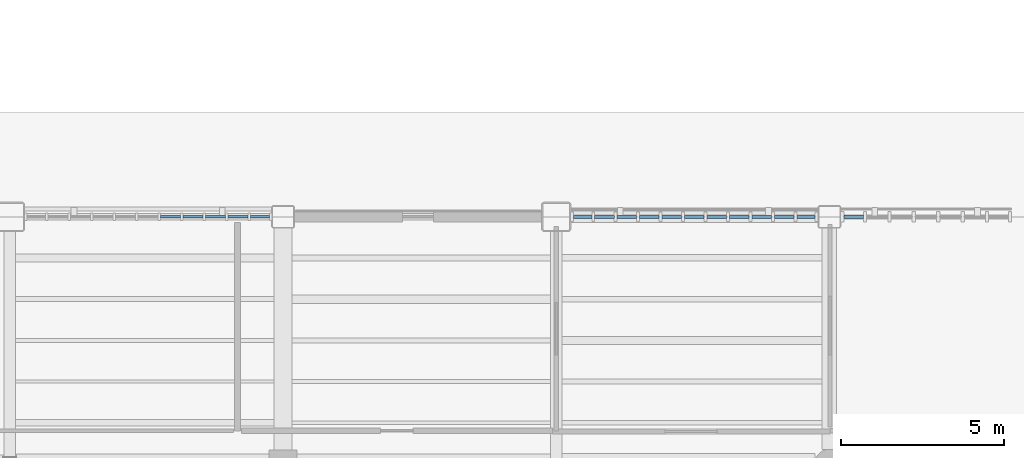
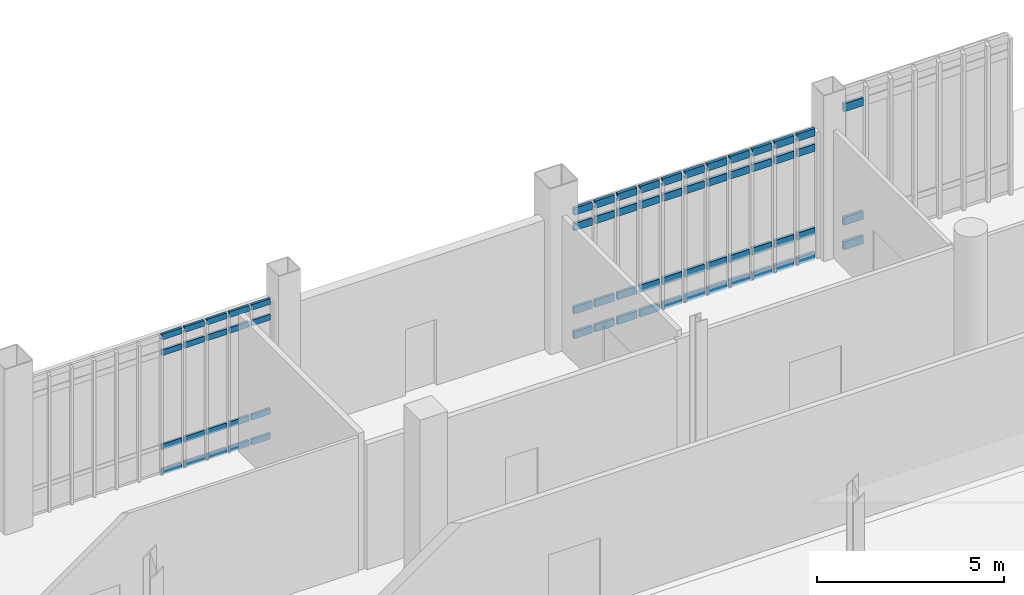
# One storey, part 44 of 111: 67 members, 3 elements without a shape of their own.
"""IFC4 building model written with IfcOpenShell, lengths in metres."""

from ifc_helpers import new_model, si_unit, direction, frame, origin, origin_2d, place, context, subcontext, project, spatial, rectangle, extrude, material, material_profile, profile_set, type_object, element, aggregate, save


model = new_model("IFC4")

# Units and contexts
model_context = context("Model", 3, precision=1e-05, world=origin(), true_north=direction((0.0, 1.0)))
body_context = subcontext(model_context, "Body", "Model", "MODEL_VIEW")
ifc_project = project(units=[si_unit("LENGTHUNIT", "METRE"), si_unit("AREAUNIT", "SQUARE_METRE"), si_unit("VOLUMEUNIT", "CUBIC_METRE"), si_unit("PLANEANGLEUNIT", "RADIAN"), si_unit("MASSUNIT", "GRAM", prefix="KILO")], contexts=[model_context])

# Site, building, storey
site_placement = place(None, origin())
site = spatial("IfcSite", under=ifc_project, at=site_placement, CompositionType="ELEMENT")
building_placement = place(site_placement, origin())
building = spatial("IfcBuilding", under=site, at=building_placement, Name="Larkvane Passage Sports Hall", CompositionType="ELEMENT")
storey_placement = place(building_placement, origin())
storey = spatial("IfcBuildingStorey", under=building, at=storey_placement, Name="L00", CompositionType="ELEMENT", Elevation=0.0)

# Curtain wall, members
ifc_material_1 = material(Name="Thermally broken aluminium and low-E glazing", Category="aluminium")
curtain_wall_type_1 = type_object("IfcCurtainWallType", Name="CW-CLINIC", PredefinedType="USERDEFINED", material=ifc_material_1)
curtain_wall_1_placement = place(storey_placement, origin())
curtain_wall_1 = element("IfcCurtainWall", 1, at=curtain_wall_1_placement, inside=storey, type_object=curtain_wall_type_1, Name="Curtain wall CW5-L00-011", ObjectType="UNITISED CURTAIN WALL", PredefinedType="USERDEFINED")
ifc_material_2 = material(Name="Anodised aluminium 6063-T6", Category="aluminium")
ifc_material_profile_1 = material_profile(ifc_material_2, rectangle(XDim=0.10009765625, YDim=0.260009765625, at=origin_2d()), Name="ALU-TRN-100x260")
ifc_profile_set_1 = profile_set([ifc_material_profile_1], Name="Anodised aluminium 6063-T6")
member_type_1 = type_object("IfcMemberType", Name="CW-TRN-100x260", PredefinedType="USERDEFINED", material=ifc_profile_set_1)
member_1_placement = place(storey_placement, frame((77.24609375, 91.60009765625, 0.050048828125), z_axis=(1.0, 0.0, 0.0), x_axis=(0.0, 1.0, 0.0)))
member_1 = element("IfcMember", 2, at=member_1_placement, type_object=member_type_1, Name="CW-05 transom 1.1", ObjectType="TRANSOM", PredefinedType="USERDEFINED", context=body_context, shape_type="SweptSolid", body=[
    extrude(rectangle(XDim=0.10009765625, YDim=0.260009765625, at=origin_2d()), origin(), (0.0, 0.0, 1.0), 0.6005859375),
])
member_2_placement = place(storey_placement, frame((77.24609375, 91.60009765625, 0.85009765625), z_axis=(1.0, 0.0, 0.0), x_axis=(0.0, 1.0, 0.0)))
member_2 = element("IfcMember", 3, at=member_2_placement, type_object=member_type_1, Name="CW-05 transom 1.2", ObjectType="TRANSOM", PredefinedType="USERDEFINED", context=body_context, shape_type="SweptSolid", body=[
    extrude(rectangle(XDim=0.10009765625, YDim=0.260009765625, at=origin_2d()), origin(), (0.0, 0.0, 1.0), 0.6005859375),
])
member_3_placement = place(storey_placement, frame((77.24609375, 91.60009765625, 4.550048828125), z_axis=(1.0, 0.0, 0.0), x_axis=(0.0, 1.0, 0.0)))
member_3 = element("IfcMember", 4, at=member_3_placement, type_object=member_type_1, Name="CW-05 transom 1.3", ObjectType="TRANSOM", PredefinedType="USERDEFINED", context=body_context, shape_type="SweptSolid", body=[
    extrude(rectangle(XDim=0.10009765625, YDim=0.260009765625, at=origin_2d()), origin(), (0.0, 0.0, 1.0), 0.6005859375),
])
aggregate(curtain_wall_1, [member_1, member_2, member_3])

curtain_wall_type_2 = type_object("IfcCurtainWallType", Name="CW-UNIT-VEIL", PredefinedType="USERDEFINED", material=ifc_material_1)
curtain_wall_2_placement = place(storey_placement, origin())
curtain_wall_2 = element("IfcCurtainWall", 5, at=curtain_wall_2_placement, inside=storey, type_object=curtain_wall_type_2, Name="Curtain wall CW5-L00-009", ObjectType="UNITISED CURTAIN WALL", PredefinedType="USERDEFINED")
ifc_material_profile_2 = material_profile(ifc_material_2, rectangle(XDim=0.074951171875, YDim=0.18505859375, at=origin_2d()), Name="ALU-TRN-75x185")
ifc_profile_set_2 = profile_set([ifc_material_profile_2], Name="Anodised aluminium 6063-T6")
member_type_2 = type_object("IfcMemberType", Name="CW-TRN-75x185", PredefinedType="USERDEFINED", material=ifc_profile_set_2)
member_4_placement = place(storey_placement, frame((56.2333984375, 91.60009765625, 0.03759765625), z_axis=(1.0, 0.0, 0.0), x_axis=(0.0, 1.0, 0.0)))
member_4 = element("IfcMember", 6, at=member_4_placement, type_object=member_type_2, Name="CW-02 transom 7.1", ObjectType="TRANSOM", PredefinedType="USERDEFINED", context=body_context, shape_type="SweptSolid", body=[
    extrude(rectangle(XDim=0.074951171875, YDim=0.18505859375, at=origin_2d()), origin(), (0.0, 0.0, 1.0), 0.616455078125),
])
member_5_placement = place(storey_placement, frame((56.2333984375, 91.60009765625, 0.85009765625), z_axis=(1.0, 0.0, 0.0), x_axis=(0.0, 1.0, 0.0)))
member_5 = element("IfcMember", 7, at=member_5_placement, type_object=member_type_2, Name="CW-02 transom 7.2", ObjectType="TRANSOM", PredefinedType="USERDEFINED", context=body_context, shape_type="SweptSolid", body=[
    extrude(rectangle(XDim=0.074951171875, YDim=0.18505859375, at=origin_2d()), origin(), (0.0, 0.0, 1.0), 0.616455078125),
])
member_6_placement = place(storey_placement, frame((56.2333984375, 91.60009765625, 3.91796875), z_axis=(1.0, 0.0, 0.0), x_axis=(0.0, 1.0, 0.0)))
member_6 = element("IfcMember", 8, at=member_6_placement, type_object=member_type_2, Name="CW-02 transom 7.3", ObjectType="TRANSOM", PredefinedType="USERDEFINED", context=body_context, shape_type="SweptSolid", body=[
    extrude(rectangle(XDim=0.074951171875, YDim=0.18505859375, at=origin_2d()), origin(), (0.0, 0.0, 1.0), 0.616455078125),
])
member_7_placement = place(storey_placement, frame((56.2333984375, 91.60009765625, 4.430419921875), z_axis=(1.0, 0.0, 0.0), x_axis=(0.0, 1.0, 0.0)))
member_7 = element("IfcMember", 9, at=member_7_placement, type_object=member_type_2, Name="CW-02 transom 7.4", ObjectType="TRANSOM", PredefinedType="USERDEFINED", context=body_context, shape_type="SweptSolid", body=[
    extrude(rectangle(XDim=0.074951171875, YDim=0.18505859375, at=origin_2d()), origin(), (0.0, 0.0, 1.0), 0.616455078125),
])
member_8_placement = place(storey_placement, frame((56.925048828125, 91.60009765625, 0.03759765625), z_axis=(1.0, 0.0, 0.0), x_axis=(0.0, 1.0, 0.0)))
member_8 = element("IfcMember", 10, at=member_8_placement, type_object=member_type_2, Name="CW-02 transom 8.1", ObjectType="TRANSOM", PredefinedType="USERDEFINED", context=body_context, shape_type="SweptSolid", body=[
    extrude(rectangle(XDim=0.074951171875, YDim=0.18505859375, at=origin_2d()), origin(), (0.0, 0.0, 1.0), 0.616455078125),
])
member_9_placement = place(storey_placement, frame((56.925048828125, 91.60009765625, 0.85009765625), z_axis=(1.0, 0.0, 0.0), x_axis=(0.0, 1.0, 0.0)))
member_9 = element("IfcMember", 11, at=member_9_placement, type_object=member_type_2, Name="CW-02 transom 8.2", ObjectType="TRANSOM", PredefinedType="USERDEFINED", context=body_context, shape_type="SweptSolid", body=[
    extrude(rectangle(XDim=0.074951171875, YDim=0.18505859375, at=origin_2d()), origin(), (0.0, 0.0, 1.0), 0.616455078125),
])
member_10_placement = place(storey_placement, frame((56.925048828125, 91.60009765625, 3.91796875), z_axis=(1.0, 0.0, 0.0), x_axis=(0.0, 1.0, 0.0)))
member_10 = element("IfcMember", 12, at=member_10_placement, type_object=member_type_2, Name="CW-02 transom 8.3", ObjectType="TRANSOM", PredefinedType="USERDEFINED", context=body_context, shape_type="SweptSolid", body=[
    extrude(rectangle(XDim=0.074951171875, YDim=0.18505859375, at=origin_2d()), origin(), (0.0, 0.0, 1.0), 0.616455078125),
])
member_11_placement = place(storey_placement, frame((56.925048828125, 91.60009765625, 4.430419921875), z_axis=(1.0, 0.0, 0.0), x_axis=(0.0, 1.0, 0.0)))
member_11 = element("IfcMember", 13, at=member_11_placement, type_object=member_type_2, Name="CW-02 transom 8.4", ObjectType="TRANSOM", PredefinedType="USERDEFINED", context=body_context, shape_type="SweptSolid", body=[
    extrude(rectangle(XDim=0.074951171875, YDim=0.18505859375, at=origin_2d()), origin(), (0.0, 0.0, 1.0), 0.616455078125),
])
member_12_placement = place(storey_placement, frame((57.61669921875, 91.60009765625, 0.03759765625), z_axis=(1.0, 0.0, 0.0), x_axis=(0.0, 1.0, 0.0)))
member_12 = element("IfcMember", 14, at=member_12_placement, type_object=member_type_2, Name="CW-02 transom 9.1", ObjectType="TRANSOM", PredefinedType="USERDEFINED", context=body_context, shape_type="SweptSolid", body=[
    extrude(rectangle(XDim=0.074951171875, YDim=0.18505859375, at=origin_2d()), origin(), (0.0, 0.0, 1.0), 0.616455078125),
])
member_13_placement = place(storey_placement, frame((57.61669921875, 91.60009765625, 0.85009765625), z_axis=(1.0, 0.0, 0.0), x_axis=(0.0, 1.0, 0.0)))
member_13 = element("IfcMember", 15, at=member_13_placement, type_object=member_type_2, Name="CW-02 transom 9.2", ObjectType="TRANSOM", PredefinedType="USERDEFINED", context=body_context, shape_type="SweptSolid", body=[
    extrude(rectangle(XDim=0.074951171875, YDim=0.18505859375, at=origin_2d()), origin(), (0.0, 0.0, 1.0), 0.616455078125),
])
member_14_placement = place(storey_placement, frame((57.61669921875, 91.60009765625, 3.91796875), z_axis=(1.0, 0.0, 0.0), x_axis=(0.0, 1.0, 0.0)))
member_14 = element("IfcMember", 16, at=member_14_placement, type_object=member_type_2, Name="CW-02 transom 9.3", ObjectType="TRANSOM", PredefinedType="USERDEFINED", context=body_context, shape_type="SweptSolid", body=[
    extrude(rectangle(XDim=0.074951171875, YDim=0.18505859375, at=origin_2d()), origin(), (0.0, 0.0, 1.0), 0.616455078125),
])
member_15_placement = place(storey_placement, frame((57.61669921875, 91.60009765625, 4.430419921875), z_axis=(1.0, 0.0, 0.0), x_axis=(0.0, 1.0, 0.0)))
member_15 = element("IfcMember", 17, at=member_15_placement, type_object=member_type_2, Name="CW-02 transom 9.4", ObjectType="TRANSOM", PredefinedType="USERDEFINED", context=body_context, shape_type="SweptSolid", body=[
    extrude(rectangle(XDim=0.074951171875, YDim=0.18505859375, at=origin_2d()), origin(), (0.0, 0.0, 1.0), 0.616455078125),
])
member_16_placement = place(storey_placement, frame((58.30810546875, 91.60009765625, 0.03759765625), z_axis=(1.0, 0.0, 0.0), x_axis=(0.0, 1.0, 0.0)))
member_16 = element("IfcMember", 18, at=member_16_placement, type_object=member_type_2, Name="CW-02 transom 10.1", ObjectType="TRANSOM", PredefinedType="USERDEFINED", context=body_context, shape_type="SweptSolid", body=[
    extrude(rectangle(XDim=0.074951171875, YDim=0.18505859375, at=origin_2d()), origin(), (0.0, 0.0, 1.0), 0.61669921875),
])
member_17_placement = place(storey_placement, frame((58.30810546875, 91.60009765625, 0.85009765625), z_axis=(1.0, 0.0, 0.0), x_axis=(0.0, 1.0, 0.0)))
member_17 = element("IfcMember", 19, at=member_17_placement, type_object=member_type_2, Name="CW-02 transom 10.2", ObjectType="TRANSOM", PredefinedType="USERDEFINED", context=body_context, shape_type="SweptSolid", body=[
    extrude(rectangle(XDim=0.074951171875, YDim=0.18505859375, at=origin_2d()), origin(), (0.0, 0.0, 1.0), 0.61669921875),
])
member_18_placement = place(storey_placement, frame((58.30810546875, 91.60009765625, 3.91796875), z_axis=(1.0, 0.0, 0.0), x_axis=(0.0, 1.0, 0.0)))
member_18 = element("IfcMember", 20, at=member_18_placement, type_object=member_type_2, Name="CW-02 transom 10.3", ObjectType="TRANSOM", PredefinedType="USERDEFINED", context=body_context, shape_type="SweptSolid", body=[
    extrude(rectangle(XDim=0.074951171875, YDim=0.18505859375, at=origin_2d()), origin(), (0.0, 0.0, 1.0), 0.61669921875),
])
member_19_placement = place(storey_placement, frame((58.30810546875, 91.60009765625, 4.430419921875), z_axis=(1.0, 0.0, 0.0), x_axis=(0.0, 1.0, 0.0)))
member_19 = element("IfcMember", 21, at=member_19_placement, type_object=member_type_2, Name="CW-02 transom 10.4", ObjectType="TRANSOM", PredefinedType="USERDEFINED", context=body_context, shape_type="SweptSolid", body=[
    extrude(rectangle(XDim=0.074951171875, YDim=0.18505859375, at=origin_2d()), origin(), (0.0, 0.0, 1.0), 0.61669921875),
])
member_20_placement = place(storey_placement, frame((58.999755859375, 91.60009765625, 0.03759765625), z_axis=(1.0, 0.0, 0.0), x_axis=(0.0, 1.0, 0.0)))
member_20 = element("IfcMember", 22, at=member_20_placement, type_object=member_type_2, Name="CW-02 transom 11.1", ObjectType="TRANSOM", PredefinedType="USERDEFINED", context=body_context, shape_type="SweptSolid", body=[
    extrude(rectangle(XDim=0.074951171875, YDim=0.18505859375, at=origin_2d()), origin(), (0.0, 0.0, 1.0), 0.579345703125),
])
member_21_placement = place(storey_placement, frame((58.999755859375, 91.60009765625, 0.85009765625), z_axis=(1.0, 0.0, 0.0), x_axis=(0.0, 1.0, 0.0)))
member_21 = element("IfcMember", 23, at=member_21_placement, type_object=member_type_2, Name="CW-02 transom 11.2", ObjectType="TRANSOM", PredefinedType="USERDEFINED", context=body_context, shape_type="SweptSolid", body=[
    extrude(rectangle(XDim=0.074951171875, YDim=0.18505859375, at=origin_2d()), origin(), (0.0, 0.0, 1.0), 0.579345703125),
])
member_22_placement = place(storey_placement, frame((58.999755859375, 91.60009765625, 3.91796875), z_axis=(1.0, 0.0, 0.0), x_axis=(0.0, 1.0, 0.0)))
member_22 = element("IfcMember", 24, at=member_22_placement, type_object=member_type_2, Name="CW-02 transom 11.3", ObjectType="TRANSOM", PredefinedType="USERDEFINED", context=body_context, shape_type="SweptSolid", body=[
    extrude(rectangle(XDim=0.074951171875, YDim=0.18505859375, at=origin_2d()), origin(), (0.0, 0.0, 1.0), 0.579345703125),
])
member_23_placement = place(storey_placement, frame((58.999755859375, 91.60009765625, 4.430419921875), z_axis=(1.0, 0.0, 0.0), x_axis=(0.0, 1.0, 0.0)))
member_23 = element("IfcMember", 25, at=member_23_placement, type_object=member_type_2, Name="CW-02 transom 11.4", ObjectType="TRANSOM", PredefinedType="USERDEFINED", context=body_context, shape_type="SweptSolid", body=[
    extrude(rectangle(XDim=0.074951171875, YDim=0.18505859375, at=origin_2d()), origin(), (0.0, 0.0, 1.0), 0.579345703125),
])
aggregate(curtain_wall_2, [member_4, member_5, member_6, member_7, member_8, member_9, member_10, member_11, member_12, member_13, member_14, member_15, member_16, member_17, member_18, member_19, member_20, member_21, member_22, member_23])

curtain_wall_type_3 = type_object("IfcCurtainWallType", Name="CW-STICK-FOYER", PredefinedType="USERDEFINED", material=ifc_material_1)
curtain_wall_3_placement = place(storey_placement, origin())
curtain_wall_3 = element("IfcCurtainWall", 26, at=curtain_wall_3_placement, inside=storey, type_object=curtain_wall_type_3, Name="Curtain wall CW5-L00-010", ObjectType="STICK CURTAIN WALL", PredefinedType="USERDEFINED")
ifc_material_profile_3 = material_profile(ifc_material_2, rectangle(XDim=0.090087890625, YDim=0.235107421875, at=origin_2d()), Name="ALU-TRN-90x235")
ifc_profile_set_3 = profile_set([ifc_material_profile_3], Name="Anodised aluminium 6063-T6")
member_type_3 = type_object("IfcMemberType", Name="CW-TRN-90x235", PredefinedType="USERDEFINED", material=ifc_profile_set_3)
member_24_placement = place(storey_placement, frame((68.93603515625, 91.60009765625, 0.044921875), z_axis=(1.0, 0.0, 0.0), x_axis=(0.0, 1.0, 0.0)))
member_24 = element("IfcMember", 27, at=member_24_placement, type_object=member_type_3, Name="CW-03 transom 1.1", ObjectType="TRANSOM", PredefinedType="USERDEFINED", context=body_context, shape_type="SweptSolid", body=[
    extrude(rectangle(XDim=0.090087890625, YDim=0.235107421875, at=origin_2d()), origin(), (0.0, 0.0, 1.0), 0.556640625),
])
member_25_placement = place(storey_placement, frame((68.93603515625, 91.60009765625, 0.85009765625), z_axis=(1.0, 0.0, 0.0), x_axis=(0.0, 1.0, 0.0)))
member_25 = element("IfcMember", 28, at=member_25_placement, type_object=member_type_3, Name="CW-03 transom 1.2", ObjectType="TRANSOM", PredefinedType="USERDEFINED", context=body_context, shape_type="SweptSolid", body=[
    extrude(rectangle(XDim=0.090087890625, YDim=0.235107421875, at=origin_2d()), origin(), (0.0, 0.0, 1.0), 0.556640625),
])
member_26_placement = place(storey_placement, frame((68.93603515625, 91.60009765625, 3.568115234375), z_axis=(1.0, 0.0, 0.0), x_axis=(0.0, 1.0, 0.0)))
member_26 = element("IfcMember", 29, at=member_26_placement, type_object=member_type_3, Name="CW-03 transom 1.3", ObjectType="TRANSOM", PredefinedType="USERDEFINED", context=body_context, shape_type="SweptSolid", body=[
    extrude(rectangle(XDim=0.090087890625, YDim=0.235107421875, at=origin_2d()), origin(), (0.0, 0.0, 1.0), 0.556640625),
])
member_27_placement = place(storey_placement, frame((68.93603515625, 91.60009765625, 4.072998046875), z_axis=(1.0, 0.0, 0.0), x_axis=(0.0, 1.0, 0.0)))
member_27 = element("IfcMember", 30, at=member_27_placement, type_object=member_type_3, Name="CW-03 transom 1.4", ObjectType="TRANSOM", PredefinedType="USERDEFINED", context=body_context, shape_type="SweptSolid", body=[
    extrude(rectangle(XDim=0.090087890625, YDim=0.235107421875, at=origin_2d()), origin(), (0.0, 0.0, 1.0), 0.556640625),
])
member_28_placement = place(storey_placement, frame((69.58251953125, 91.60009765625, 0.044921875), z_axis=(1.0, 0.0, 0.0), x_axis=(0.0, 1.0, 0.0)))
member_28 = element("IfcMember", 31, at=member_28_placement, type_object=member_type_3, Name="CW-03 transom 2.1", ObjectType="TRANSOM", PredefinedType="USERDEFINED", context=body_context, shape_type="SweptSolid", body=[
    extrude(rectangle(XDim=0.090087890625, YDim=0.235107421875, at=origin_2d()), origin(), (0.0, 0.0, 1.0), 0.601806640625),
])
member_29_placement = place(storey_placement, frame((69.58251953125, 91.60009765625, 0.85009765625), z_axis=(1.0, 0.0, 0.0), x_axis=(0.0, 1.0, 0.0)))
member_29 = element("IfcMember", 32, at=member_29_placement, type_object=member_type_3, Name="CW-03 transom 2.2", ObjectType="TRANSOM", PredefinedType="USERDEFINED", context=body_context, shape_type="SweptSolid", body=[
    extrude(rectangle(XDim=0.090087890625, YDim=0.235107421875, at=origin_2d()), origin(), (0.0, 0.0, 1.0), 0.601806640625),
])
member_30_placement = place(storey_placement, frame((69.58251953125, 91.60009765625, 3.568115234375), z_axis=(1.0, 0.0, 0.0), x_axis=(0.0, 1.0, 0.0)))
member_30 = element("IfcMember", 33, at=member_30_placement, type_object=member_type_3, Name="CW-03 transom 2.3", ObjectType="TRANSOM", PredefinedType="USERDEFINED", context=body_context, shape_type="SweptSolid", body=[
    extrude(rectangle(XDim=0.090087890625, YDim=0.235107421875, at=origin_2d()), origin(), (0.0, 0.0, 1.0), 0.601806640625),
])
member_31_placement = place(storey_placement, frame((69.58251953125, 91.60009765625, 4.072998046875), z_axis=(1.0, 0.0, 0.0), x_axis=(0.0, 1.0, 0.0)))
member_31 = element("IfcMember", 34, at=member_31_placement, type_object=member_type_3, Name="CW-03 transom 2.4", ObjectType="TRANSOM", PredefinedType="USERDEFINED", context=body_context, shape_type="SweptSolid", body=[
    extrude(rectangle(XDim=0.090087890625, YDim=0.235107421875, at=origin_2d()), origin(), (0.0, 0.0, 1.0), 0.601806640625),
])
member_32_placement = place(storey_placement, frame((70.274169921875, 91.60009765625, 0.044921875), z_axis=(1.0, 0.0, 0.0), x_axis=(0.0, 1.0, 0.0)))
member_32 = element("IfcMember", 35, at=member_32_placement, type_object=member_type_3, Name="CW-03 transom 3.1", ObjectType="TRANSOM", PredefinedType="USERDEFINED", context=body_context, shape_type="SweptSolid", body=[
    extrude(rectangle(XDim=0.090087890625, YDim=0.235107421875, at=origin_2d()), origin(), (0.0, 0.0, 1.0), 0.601806640625),
])
member_33_placement = place(storey_placement, frame((70.274169921875, 91.60009765625, 0.85009765625), z_axis=(1.0, 0.0, 0.0), x_axis=(0.0, 1.0, 0.0)))
member_33 = element("IfcMember", 36, at=member_33_placement, type_object=member_type_3, Name="CW-03 transom 3.2", ObjectType="TRANSOM", PredefinedType="USERDEFINED", context=body_context, shape_type="SweptSolid", body=[
    extrude(rectangle(XDim=0.090087890625, YDim=0.235107421875, at=origin_2d()), origin(), (0.0, 0.0, 1.0), 0.601806640625),
])
member_34_placement = place(storey_placement, frame((70.274169921875, 91.60009765625, 3.568115234375), z_axis=(1.0, 0.0, 0.0), x_axis=(0.0, 1.0, 0.0)))
member_34 = element("IfcMember", 37, at=member_34_placement, type_object=member_type_3, Name="CW-03 transom 3.3", ObjectType="TRANSOM", PredefinedType="USERDEFINED", context=body_context, shape_type="SweptSolid", body=[
    extrude(rectangle(XDim=0.090087890625, YDim=0.235107421875, at=origin_2d()), origin(), (0.0, 0.0, 1.0), 0.601806640625),
])
member_35_placement = place(storey_placement, frame((70.274169921875, 91.60009765625, 4.072998046875), z_axis=(1.0, 0.0, 0.0), x_axis=(0.0, 1.0, 0.0)))
member_35 = element("IfcMember", 38, at=member_35_placement, type_object=member_type_3, Name="CW-03 transom 3.4", ObjectType="TRANSOM", PredefinedType="USERDEFINED", context=body_context, shape_type="SweptSolid", body=[
    extrude(rectangle(XDim=0.090087890625, YDim=0.235107421875, at=origin_2d()), origin(), (0.0, 0.0, 1.0), 0.601806640625),
])
member_36_placement = place(storey_placement, frame((70.9658203125, 91.60009765625, 0.044921875), z_axis=(1.0, 0.0, 0.0), x_axis=(0.0, 1.0, 0.0)))
member_36 = element("IfcMember", 39, at=member_36_placement, type_object=member_type_3, Name="CW-03 transom 4.1", ObjectType="TRANSOM", PredefinedType="USERDEFINED", context=body_context, shape_type="SweptSolid", body=[
    extrude(rectangle(XDim=0.090087890625, YDim=0.235107421875, at=origin_2d()), origin(), (0.0, 0.0, 1.0), 0.601806640625),
])
member_37_placement = place(storey_placement, frame((70.9658203125, 91.60009765625, 0.85009765625), z_axis=(1.0, 0.0, 0.0), x_axis=(0.0, 1.0, 0.0)))
member_37 = element("IfcMember", 40, at=member_37_placement, type_object=member_type_3, Name="CW-03 transom 4.2", ObjectType="TRANSOM", PredefinedType="USERDEFINED", context=body_context, shape_type="SweptSolid", body=[
    extrude(rectangle(XDim=0.090087890625, YDim=0.235107421875, at=origin_2d()), origin(), (0.0, 0.0, 1.0), 0.601806640625),
])
member_38_placement = place(storey_placement, frame((70.9658203125, 91.60009765625, 3.568115234375), z_axis=(1.0, 0.0, 0.0), x_axis=(0.0, 1.0, 0.0)))
member_38 = element("IfcMember", 41, at=member_38_placement, type_object=member_type_3, Name="CW-03 transom 4.3", ObjectType="TRANSOM", PredefinedType="USERDEFINED", context=body_context, shape_type="SweptSolid", body=[
    extrude(rectangle(XDim=0.090087890625, YDim=0.235107421875, at=origin_2d()), origin(), (0.0, 0.0, 1.0), 0.601806640625),
])
member_39_placement = place(storey_placement, frame((70.9658203125, 91.60009765625, 4.072998046875), z_axis=(1.0, 0.0, 0.0), x_axis=(0.0, 1.0, 0.0)))
member_39 = element("IfcMember", 42, at=member_39_placement, type_object=member_type_3, Name="CW-03 transom 4.4", ObjectType="TRANSOM", PredefinedType="USERDEFINED", context=body_context, shape_type="SweptSolid", body=[
    extrude(rectangle(XDim=0.090087890625, YDim=0.235107421875, at=origin_2d()), origin(), (0.0, 0.0, 1.0), 0.601806640625),
])
member_40_placement = place(storey_placement, frame((71.657470703125, 91.60009765625, 0.044921875), z_axis=(1.0, 0.0, 0.0), x_axis=(0.0, 1.0, 0.0)))
member_40 = element("IfcMember", 43, at=member_40_placement, type_object=member_type_3, Name="CW-03 transom 5.1", ObjectType="TRANSOM", PredefinedType="USERDEFINED", context=body_context, shape_type="SweptSolid", body=[
    extrude(rectangle(XDim=0.090087890625, YDim=0.235107421875, at=origin_2d()), origin(), (0.0, 0.0, 1.0), 0.601806640625),
])
member_41_placement = place(storey_placement, frame((71.657470703125, 91.60009765625, 0.85009765625), z_axis=(1.0, 0.0, 0.0), x_axis=(0.0, 1.0, 0.0)))
member_41 = element("IfcMember", 44, at=member_41_placement, type_object=member_type_3, Name="CW-03 transom 5.2", ObjectType="TRANSOM", PredefinedType="USERDEFINED", context=body_context, shape_type="SweptSolid", body=[
    extrude(rectangle(XDim=0.090087890625, YDim=0.235107421875, at=origin_2d()), origin(), (0.0, 0.0, 1.0), 0.601806640625),
])
member_42_placement = place(storey_placement, frame((71.657470703125, 91.60009765625, 3.568115234375), z_axis=(1.0, 0.0, 0.0), x_axis=(0.0, 1.0, 0.0)))
member_42 = element("IfcMember", 45, at=member_42_placement, type_object=member_type_3, Name="CW-03 transom 5.3", ObjectType="TRANSOM", PredefinedType="USERDEFINED", context=body_context, shape_type="SweptSolid", body=[
    extrude(rectangle(XDim=0.090087890625, YDim=0.235107421875, at=origin_2d()), origin(), (0.0, 0.0, 1.0), 0.601806640625),
])
member_43_placement = place(storey_placement, frame((71.657470703125, 91.60009765625, 4.072998046875), z_axis=(1.0, 0.0, 0.0), x_axis=(0.0, 1.0, 0.0)))
member_43 = element("IfcMember", 46, at=member_43_placement, type_object=member_type_3, Name="CW-03 transom 5.4", ObjectType="TRANSOM", PredefinedType="USERDEFINED", context=body_context, shape_type="SweptSolid", body=[
    extrude(rectangle(XDim=0.090087890625, YDim=0.235107421875, at=origin_2d()), origin(), (0.0, 0.0, 1.0), 0.601806640625),
])
member_44_placement = place(storey_placement, frame((72.34912109375, 91.60009765625, 0.044921875), z_axis=(1.0, 0.0, 0.0), x_axis=(0.0, 1.0, 0.0)))
member_44 = element("IfcMember", 47, at=member_44_placement, type_object=member_type_3, Name="CW-03 transom 6.1", ObjectType="TRANSOM", PredefinedType="USERDEFINED", context=body_context, shape_type="SweptSolid", body=[
    extrude(rectangle(XDim=0.090087890625, YDim=0.235107421875, at=origin_2d()), origin(), (0.0, 0.0, 1.0), 0.601806640625),
])
member_45_placement = place(storey_placement, frame((72.34912109375, 91.60009765625, 0.85009765625), z_axis=(1.0, 0.0, 0.0), x_axis=(0.0, 1.0, 0.0)))
member_45 = element("IfcMember", 48, at=member_45_placement, type_object=member_type_3, Name="CW-03 transom 6.2", ObjectType="TRANSOM", PredefinedType="USERDEFINED", context=body_context, shape_type="SweptSolid", body=[
    extrude(rectangle(XDim=0.090087890625, YDim=0.235107421875, at=origin_2d()), origin(), (0.0, 0.0, 1.0), 0.601806640625),
])
member_46_placement = place(storey_placement, frame((72.34912109375, 91.60009765625, 3.568115234375), z_axis=(1.0, 0.0, 0.0), x_axis=(0.0, 1.0, 0.0)))
member_46 = element("IfcMember", 49, at=member_46_placement, type_object=member_type_3, Name="CW-03 transom 6.3", ObjectType="TRANSOM", PredefinedType="USERDEFINED", context=body_context, shape_type="SweptSolid", body=[
    extrude(rectangle(XDim=0.090087890625, YDim=0.235107421875, at=origin_2d()), origin(), (0.0, 0.0, 1.0), 0.601806640625),
])
member_47_placement = place(storey_placement, frame((72.34912109375, 91.60009765625, 4.072998046875), z_axis=(1.0, 0.0, 0.0), x_axis=(0.0, 1.0, 0.0)))
member_47 = element("IfcMember", 50, at=member_47_placement, type_object=member_type_3, Name="CW-03 transom 6.4", ObjectType="TRANSOM", PredefinedType="USERDEFINED", context=body_context, shape_type="SweptSolid", body=[
    extrude(rectangle(XDim=0.090087890625, YDim=0.235107421875, at=origin_2d()), origin(), (0.0, 0.0, 1.0), 0.601806640625),
])
member_48_placement = place(storey_placement, frame((73.040771484375, 91.60009765625, 0.044921875), z_axis=(1.0, 0.0, 0.0), x_axis=(0.0, 1.0, 0.0)))
member_48 = element("IfcMember", 51, at=member_48_placement, type_object=member_type_3, Name="CW-03 transom 7.1", ObjectType="TRANSOM", PredefinedType="USERDEFINED", context=body_context, shape_type="SweptSolid", body=[
    extrude(rectangle(XDim=0.090087890625, YDim=0.235107421875, at=origin_2d()), origin(), (0.0, 0.0, 1.0), 0.6015625),
])
member_49_placement = place(storey_placement, frame((73.040771484375, 91.60009765625, 0.85009765625), z_axis=(1.0, 0.0, 0.0), x_axis=(0.0, 1.0, 0.0)))
member_49 = element("IfcMember", 52, at=member_49_placement, type_object=member_type_3, Name="CW-03 transom 7.2", ObjectType="TRANSOM", PredefinedType="USERDEFINED", context=body_context, shape_type="SweptSolid", body=[
    extrude(rectangle(XDim=0.090087890625, YDim=0.235107421875, at=origin_2d()), origin(), (0.0, 0.0, 1.0), 0.6015625),
])
member_50_placement = place(storey_placement, frame((73.040771484375, 91.60009765625, 3.568115234375), z_axis=(1.0, 0.0, 0.0), x_axis=(0.0, 1.0, 0.0)))
member_50 = element("IfcMember", 53, at=member_50_placement, type_object=member_type_3, Name="CW-03 transom 7.3", ObjectType="TRANSOM", PredefinedType="USERDEFINED", context=body_context, shape_type="SweptSolid", body=[
    extrude(rectangle(XDim=0.090087890625, YDim=0.235107421875, at=origin_2d()), origin(), (0.0, 0.0, 1.0), 0.6015625),
])
member_51_placement = place(storey_placement, frame((73.040771484375, 91.60009765625, 4.072998046875), z_axis=(1.0, 0.0, 0.0), x_axis=(0.0, 1.0, 0.0)))
member_51 = element("IfcMember", 54, at=member_51_placement, type_object=member_type_3, Name="CW-03 transom 7.4", ObjectType="TRANSOM", PredefinedType="USERDEFINED", context=body_context, shape_type="SweptSolid", body=[
    extrude(rectangle(XDim=0.090087890625, YDim=0.235107421875, at=origin_2d()), origin(), (0.0, 0.0, 1.0), 0.6015625),
])
member_52_placement = place(storey_placement, frame((73.732421875, 91.60009765625, 0.044921875), z_axis=(1.0, 0.0, 0.0), x_axis=(0.0, 1.0, 0.0)))
member_52 = element("IfcMember", 55, at=member_52_placement, type_object=member_type_3, Name="CW-03 transom 8.1", ObjectType="TRANSOM", PredefinedType="USERDEFINED", context=body_context, shape_type="SweptSolid", body=[
    extrude(rectangle(XDim=0.090087890625, YDim=0.235107421875, at=origin_2d()), origin(), (0.0, 0.0, 1.0), 0.6015625),
])
member_53_placement = place(storey_placement, frame((73.732421875, 91.60009765625, 0.85009765625), z_axis=(1.0, 0.0, 0.0), x_axis=(0.0, 1.0, 0.0)))
member_53 = element("IfcMember", 56, at=member_53_placement, type_object=member_type_3, Name="CW-03 transom 8.2", ObjectType="TRANSOM", PredefinedType="USERDEFINED", context=body_context, shape_type="SweptSolid", body=[
    extrude(rectangle(XDim=0.090087890625, YDim=0.235107421875, at=origin_2d()), origin(), (0.0, 0.0, 1.0), 0.6015625),
])
member_54_placement = place(storey_placement, frame((73.732421875, 91.60009765625, 3.568115234375), z_axis=(1.0, 0.0, 0.0), x_axis=(0.0, 1.0, 0.0)))
member_54 = element("IfcMember", 57, at=member_54_placement, type_object=member_type_3, Name="CW-03 transom 8.3", ObjectType="TRANSOM", PredefinedType="USERDEFINED", context=body_context, shape_type="SweptSolid", body=[
    extrude(rectangle(XDim=0.090087890625, YDim=0.235107421875, at=origin_2d()), origin(), (0.0, 0.0, 1.0), 0.6015625),
])
member_55_placement = place(storey_placement, frame((73.732421875, 91.60009765625, 4.072998046875), z_axis=(1.0, 0.0, 0.0), x_axis=(0.0, 1.0, 0.0)))
member_55 = element("IfcMember", 58, at=member_55_placement, type_object=member_type_3, Name="CW-03 transom 8.4", ObjectType="TRANSOM", PredefinedType="USERDEFINED", context=body_context, shape_type="SweptSolid", body=[
    extrude(rectangle(XDim=0.090087890625, YDim=0.235107421875, at=origin_2d()), origin(), (0.0, 0.0, 1.0), 0.6015625),
])
member_56_placement = place(storey_placement, frame((74.424072265625, 91.60009765625, 0.044921875), z_axis=(1.0, 0.0, 0.0), x_axis=(0.0, 1.0, 0.0)))
member_56 = element("IfcMember", 59, at=member_56_placement, type_object=member_type_3, Name="CW-03 transom 9.1", ObjectType="TRANSOM", PredefinedType="USERDEFINED", context=body_context, shape_type="SweptSolid", body=[
    extrude(rectangle(XDim=0.090087890625, YDim=0.235107421875, at=origin_2d()), origin(), (0.0, 0.0, 1.0), 0.6015625),
])
member_57_placement = place(storey_placement, frame((74.424072265625, 91.60009765625, 0.85009765625), z_axis=(1.0, 0.0, 0.0), x_axis=(0.0, 1.0, 0.0)))
member_57 = element("IfcMember", 60, at=member_57_placement, type_object=member_type_3, Name="CW-03 transom 9.2", ObjectType="TRANSOM", PredefinedType="USERDEFINED", context=body_context, shape_type="SweptSolid", body=[
    extrude(rectangle(XDim=0.090087890625, YDim=0.235107421875, at=origin_2d()), origin(), (0.0, 0.0, 1.0), 0.6015625),
])
member_58_placement = place(storey_placement, frame((74.424072265625, 91.60009765625, 3.568115234375), z_axis=(1.0, 0.0, 0.0), x_axis=(0.0, 1.0, 0.0)))
member_58 = element("IfcMember", 61, at=member_58_placement, type_object=member_type_3, Name="CW-03 transom 9.3", ObjectType="TRANSOM", PredefinedType="USERDEFINED", context=body_context, shape_type="SweptSolid", body=[
    extrude(rectangle(XDim=0.090087890625, YDim=0.235107421875, at=origin_2d()), origin(), (0.0, 0.0, 1.0), 0.6015625),
])
member_59_placement = place(storey_placement, frame((74.424072265625, 91.60009765625, 4.072998046875), z_axis=(1.0, 0.0, 0.0), x_axis=(0.0, 1.0, 0.0)))
member_59 = element("IfcMember", 62, at=member_59_placement, type_object=member_type_3, Name="CW-03 transom 9.4", ObjectType="TRANSOM", PredefinedType="USERDEFINED", context=body_context, shape_type="SweptSolid", body=[
    extrude(rectangle(XDim=0.090087890625, YDim=0.235107421875, at=origin_2d()), origin(), (0.0, 0.0, 1.0), 0.6015625),
])
member_60_placement = place(storey_placement, frame((75.11572265625, 91.60009765625, 0.044921875), z_axis=(1.0, 0.0, 0.0), x_axis=(0.0, 1.0, 0.0)))
member_60 = element("IfcMember", 63, at=member_60_placement, type_object=member_type_3, Name="CW-03 transom 10.1", ObjectType="TRANSOM", PredefinedType="USERDEFINED", context=body_context, shape_type="SweptSolid", body=[
    extrude(rectangle(XDim=0.090087890625, YDim=0.235107421875, at=origin_2d()), origin(), (0.0, 0.0, 1.0), 0.6015625),
])
member_61_placement = place(storey_placement, frame((75.11572265625, 91.60009765625, 0.85009765625), z_axis=(1.0, 0.0, 0.0), x_axis=(0.0, 1.0, 0.0)))
member_61 = element("IfcMember", 64, at=member_61_placement, type_object=member_type_3, Name="CW-03 transom 10.2", ObjectType="TRANSOM", PredefinedType="USERDEFINED", context=body_context, shape_type="SweptSolid", body=[
    extrude(rectangle(XDim=0.090087890625, YDim=0.235107421875, at=origin_2d()), origin(), (0.0, 0.0, 1.0), 0.6015625),
])
member_62_placement = place(storey_placement, frame((75.11572265625, 91.60009765625, 3.568115234375), z_axis=(1.0, 0.0, 0.0), x_axis=(0.0, 1.0, 0.0)))
member_62 = element("IfcMember", 65, at=member_62_placement, type_object=member_type_3, Name="CW-03 transom 10.3", ObjectType="TRANSOM", PredefinedType="USERDEFINED", context=body_context, shape_type="SweptSolid", body=[
    extrude(rectangle(XDim=0.090087890625, YDim=0.235107421875, at=origin_2d()), origin(), (0.0, 0.0, 1.0), 0.6015625),
])
member_63_placement = place(storey_placement, frame((75.11572265625, 91.60009765625, 4.072998046875), z_axis=(1.0, 0.0, 0.0), x_axis=(0.0, 1.0, 0.0)))
member_63 = element("IfcMember", 66, at=member_63_placement, type_object=member_type_3, Name="CW-03 transom 10.4", ObjectType="TRANSOM", PredefinedType="USERDEFINED", context=body_context, shape_type="SweptSolid", body=[
    extrude(rectangle(XDim=0.090087890625, YDim=0.235107421875, at=origin_2d()), origin(), (0.0, 0.0, 1.0), 0.6015625),
])
member_64_placement = place(storey_placement, frame((75.807373046875, 91.60009765625, 0.044921875), z_axis=(1.0, 0.0, 0.0), x_axis=(0.0, 1.0, 0.0)))
member_64 = element("IfcMember", 67, at=member_64_placement, type_object=member_type_3, Name="CW-03 transom 11.1", ObjectType="TRANSOM", PredefinedType="USERDEFINED", context=body_context, shape_type="SweptSolid", body=[
    extrude(rectangle(XDim=0.090087890625, YDim=0.235107421875, at=origin_2d()), origin(), (0.0, 0.0, 1.0), 0.556640625),
])
member_65_placement = place(storey_placement, frame((75.807373046875, 91.60009765625, 0.85009765625), z_axis=(1.0, 0.0, 0.0), x_axis=(0.0, 1.0, 0.0)))
member_65 = element("IfcMember", 68, at=member_65_placement, type_object=member_type_3, Name="CW-03 transom 11.2", ObjectType="TRANSOM", PredefinedType="USERDEFINED", context=body_context, shape_type="SweptSolid", body=[
    extrude(rectangle(XDim=0.090087890625, YDim=0.235107421875, at=origin_2d()), origin(), (0.0, 0.0, 1.0), 0.556640625),
])
member_66_placement = place(storey_placement, frame((75.807373046875, 91.60009765625, 3.568115234375), z_axis=(1.0, 0.0, 0.0), x_axis=(0.0, 1.0, 0.0)))
member_66 = element("IfcMember", 69, at=member_66_placement, type_object=member_type_3, Name="CW-03 transom 11.3", ObjectType="TRANSOM", PredefinedType="USERDEFINED", context=body_context, shape_type="SweptSolid", body=[
    extrude(rectangle(XDim=0.090087890625, YDim=0.235107421875, at=origin_2d()), origin(), (0.0, 0.0, 1.0), 0.556640625),
])
member_67_placement = place(storey_placement, frame((75.807373046875, 91.60009765625, 4.072998046875), z_axis=(1.0, 0.0, 0.0), x_axis=(0.0, 1.0, 0.0)))
member_67 = element("IfcMember", 70, at=member_67_placement, type_object=member_type_3, Name="CW-03 transom 11.4", ObjectType="TRANSOM", PredefinedType="USERDEFINED", context=body_context, shape_type="SweptSolid", body=[
    extrude(rectangle(XDim=0.090087890625, YDim=0.235107421875, at=origin_2d()), origin(), (0.0, 0.0, 1.0), 0.556640625),
])
aggregate(curtain_wall_3, [member_24, member_25, member_26, member_27, member_28, member_29, member_30, member_31, member_32, member_33, member_34, member_35, member_36, member_37, member_38, member_39, member_40, member_41, member_42, member_43, member_44, member_45, member_46, member_47, member_48, member_49, member_50, member_51, member_52, member_53, member_54, member_55, member_56, member_57, member_58, member_59, member_60, member_61, member_62, member_63, member_64, member_65, member_66, member_67])

save(model, "model.ifc")
